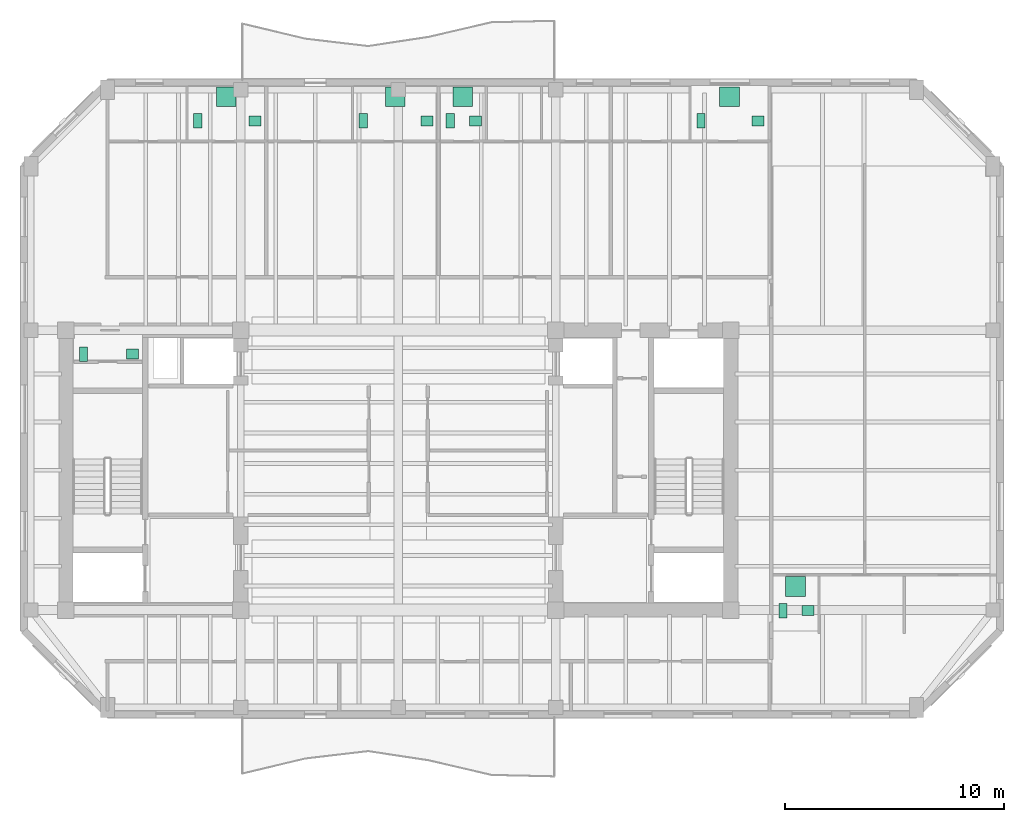
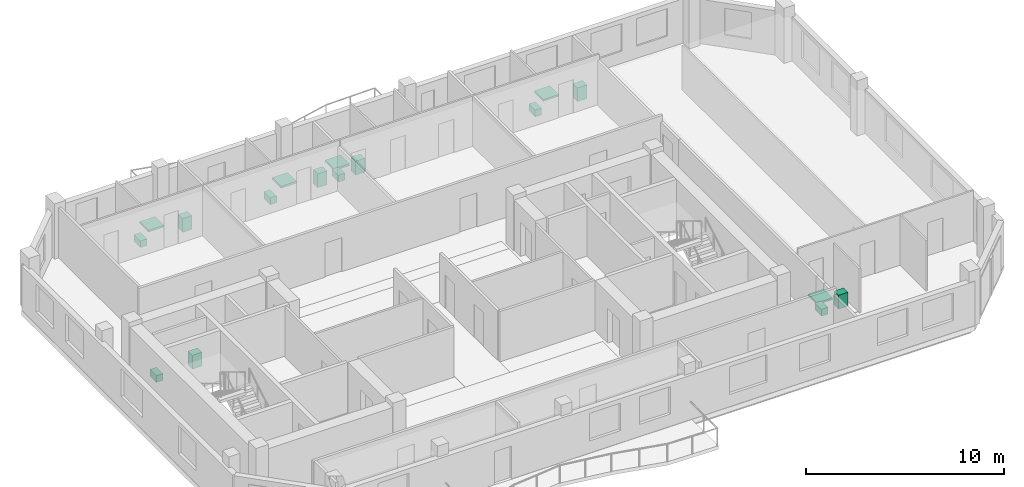
# One storey, part 9 of 9: 17 sanitary terminals.
"""IFC4 building model written with IfcOpenShell, lengths in metres."""

from ifc_helpers import new_model, si_unit, direction, frame, origin, origin_2d, place, context, subcontext, project, spatial, rectangle, extrude, material, type_object, element, save


model = new_model("IFC4")

# Units and contexts
model_context = context("Model", 3, precision=1e-05, world=origin(), true_north=direction((0.0, 1.0)))
body_context = subcontext(model_context, "Body", "Model", "MODEL_VIEW")
ifc_project = project(units=[si_unit("LENGTHUNIT", "METRE"), si_unit("AREAUNIT", "SQUARE_METRE"), si_unit("VOLUMEUNIT", "CUBIC_METRE"), si_unit("PLANEANGLEUNIT", "RADIAN"), si_unit("MASSUNIT", "GRAM", prefix="KILO")], contexts=[model_context])

# Site, building, storey
site_placement = place(None, origin())
site = spatial("IfcSite", under=ifc_project, at=site_placement, CompositionType="ELEMENT")
building_placement = place(site_placement, origin())
building = spatial("IfcBuilding", under=site, at=building_placement, Name="Kranthara Brick Stack", CompositionType="ELEMENT")
storey_placement = place(building_placement, frame((0.0, 0.0, 261.89990234375)))
storey = spatial("IfcBuildingStorey", under=building, at=storey_placement, Name="L69", CompositionType="ELEMENT", Elevation=261.89990234375)

# Sanitary terminals
ifc_material_1 = material(Name="Vitreous china sanitary porcelain", Category="other")
sanitary_terminal_type_1 = type_object("IfcSanitaryTerminalType", Name="SAN-BASIN", PredefinedType="WASHHANDBASIN", material=ifc_material_1)
for number, where, z_axis, x_axis, name in (
    (1, (15.85009765625, 32.5048828125, 0.0), (0.0, 0.0, 1.0), (1.0, 0.0, 0.0), "L69 Washbasin 357"),
    (2, (21.43701171875, 43.175048828125, 0.0), (0.0, 0.0, 1.0), (1.0, 0.0, 0.0), "L69 Washbasin 358"),
    (3, (29.31005859375, 43.175048828125, 0.0), (0.0, 0.0, 1.0), (1.0, 0.0, 0.0), "L69 Washbasin 359"),
    (4, (31.52001953125, 43.175048828125, 0.0), (0.0, 0.0, 1.0), (1.0, 0.0, 0.0), "L69 Washbasin 360"),
    (5, (44.449951171875, 43.175048828125, 0.0), (0.0, 0.0, 1.0), (1.0, 0.0, 0.0), "L69 Washbasin 361"),
    (6, (46.739990234375, 20.77490234375, 0.0), (0.0, 0.0, 1.0), (1.0, 0.0, 0.0), "L69 Washbasin 362"),
):
    element("IfcSanitaryTerminal", number, at=place(storey_placement, frame(where, z_axis=z_axis, x_axis=x_axis)), inside=storey, type_object=sanitary_terminal_type_1, Name=name, PredefinedType="WASHHANDBASIN", context=body_context, shape_type="SweptSolid", body=[
        extrude(rectangle(XDim=0.550048828125, YDim=0.449951171875, at=origin_2d()), origin(), (0.0, 0.0, 1.0), 0.85009765625),
    ])
ifc_material_2 = material(Name="Acrylic and porcelain shower tray", Category="other")
sanitary_terminal_type_2 = type_object("IfcSanitaryTerminalType", Name="SAN-SHOWER", PredefinedType="SHOWER", material=ifc_material_2)
for number, where, z_axis, x_axis, name in (
    (7, (20.135986328125, 44.280029296875, 0.0), (0.0, 0.0, 1.0), (1.0, 0.0, 0.0), "L69 Shower Tray 358"),
    (8, (27.85693359375, 44.280029296875, 0.0), (0.0, 0.0, 1.0), (1.0, 0.0, 0.0), "L69 Shower Tray 359"),
    (9, (30.945068359375, 44.280029296875, 0.0), (0.0, 0.0, 1.0), (1.0, 0.0, 0.0), "L69 Shower Tray 360"),
    (10, (43.14794921875, 44.280029296875, 0.0), (0.0, 0.0, 1.0), (1.0, 0.0, 0.0), "L69 Shower Tray 361"),
    (11, (46.1650390625, 21.8798828125, 0.0), (0.0, 0.0, 1.0), (1.0, 0.0, 0.0), "L69 Shower Tray 362"),
):
    element("IfcSanitaryTerminal", number, at=place(storey_placement, frame(where, z_axis=z_axis, x_axis=x_axis)), inside=storey, type_object=sanitary_terminal_type_2, Name=name, PredefinedType="SHOWER", context=body_context, shape_type="SweptSolid", body=[
        extrude(rectangle(XDim=0.89990234375, YDim=0.89990234375, at=origin_2d()), origin(), (0.0, 0.0, 1.0), 0.1201171875),
    ])
ifc_material_3 = material(Name="Vitreous china sanitary porcelain", Category="other")
sanitary_terminal_type_3 = type_object("IfcSanitaryTerminalType", Name="SAN-WC-PAN", PredefinedType="TOILETPAN", material=ifc_material_3)
for number, where, z_axis, x_axis, name in (
    (12, (13.60009765625, 32.5048828125, 0.000244140625), (0.0, 0.0, 1.0), (1.0, 0.0, 0.0), "L69 WC Pan 357"),
    (13, (18.833984375, 43.175048828125, 0.000244140625), (0.0, 0.0, 1.0), (1.0, 0.0, 0.0), "L69 WC Pan 358"),
    (14, (26.404052734375, 43.175048828125, 0.000244140625), (0.0, 0.0, 1.0), (1.0, 0.0, 0.0), "L69 WC Pan 359"),
    (15, (30.3701171875, 43.175048828125, 0.000244140625), (0.0, 0.0, 1.0), (1.0, 0.0, 0.0), "L69 WC Pan 360"),
    (16, (41.845947265625, 43.175048828125, 0.000244140625), (0.0, 0.0, 1.0), (1.0, 0.0, 0.0), "L69 WC Pan 361"),
    (17, (45.590087890625, 20.77490234375, 0.000244140625), (0.0, 0.0, 1.0), (1.0, 0.0, 0.0), "L69 WC Pan 362"),
):
    element("IfcSanitaryTerminal", number, at=place(storey_placement, frame(where, z_axis=z_axis, x_axis=x_axis)), inside=storey, type_object=sanitary_terminal_type_3, Name=name, PredefinedType="TOILETPAN", context=body_context, shape_type="SweptSolid", body=[
        extrude(rectangle(XDim=0.3798828125, YDim=0.64990234375, at=origin_2d()), origin(), (0.0, 0.0, 1.0), 0.419921875),
    ])

save(model, "model.ifc")
